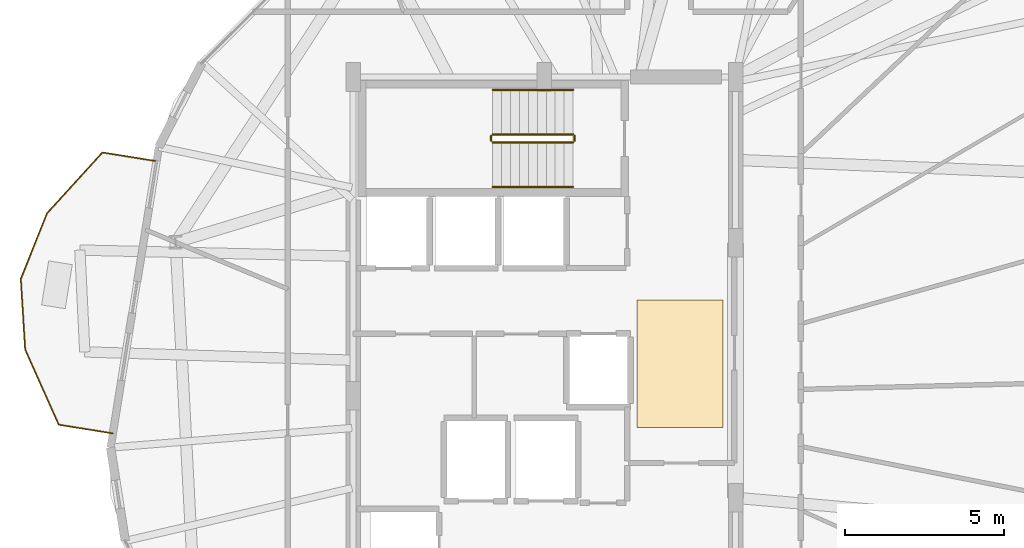
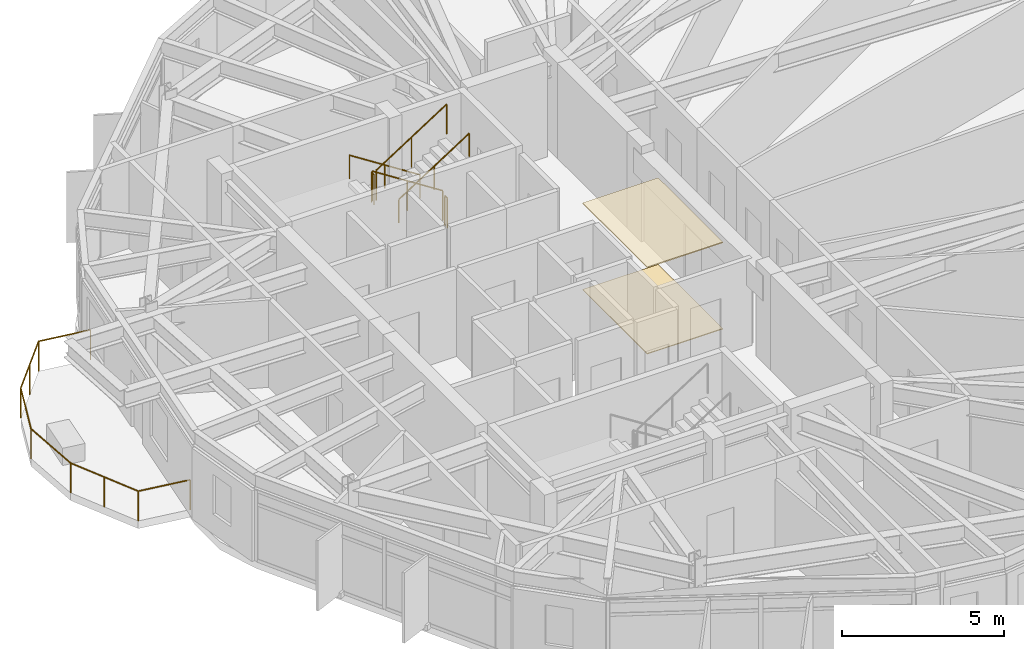
# One storey, part 26 of 27: 7 railings, 2 coverings.
"""IFC4 building model written with IfcOpenShell, lengths in metres."""

from ifc_helpers import new_model, si_unit, direction, frame, origin, origin_2d, place, context, subcontext, project, spatial, polyline, circle, outline, extrude, material, layer, layer_set, type_object, element, save


model = new_model("IFC4")

# Units and contexts
model_context = context("Model", 3, precision=1e-05, world=origin(), true_north=direction((0.0, 1.0)))
body_context = subcontext(model_context, "Body", "Model", "MODEL_VIEW")
ifc_project = project(units=[si_unit("LENGTHUNIT", "METRE"), si_unit("AREAUNIT", "SQUARE_METRE"), si_unit("VOLUMEUNIT", "CUBIC_METRE"), si_unit("PLANEANGLEUNIT", "RADIAN"), si_unit("MASSUNIT", "GRAM", prefix="KILO")], contexts=[model_context])

# Site, building, storey
site_placement = place(None, origin())
site = spatial("IfcSite", under=ifc_project, at=site_placement, CompositionType="ELEMENT")
building_placement = place(site_placement, origin())
building = spatial("IfcBuilding", under=site, at=building_placement, Name="Soratama Intermodal Tower", CompositionType="ELEMENT")
storey_placement = place(building_placement, frame((0.0, 0.0, 197.800048828125)))
storey = spatial("IfcBuildingStorey", under=building, at=storey_placement, Name="L49", CompositionType="ELEMENT", Elevation=197.800048828125)

# Coverings
ifc_material_1 = material(Name="Perforated mineral acoustic ceiling", Category="concrete")
ifc_layer_1 = layer(ifc_material_1, 0.0400390625)
ifc_layer_set_1 = layer_set([ifc_layer_1], Name="Perforated mineral acoustic ceiling")
covering_type_1 = type_object("IfcCoveringType", Name="CV-CEIL-ACOUSTIC", PredefinedType="CEILING", material=ifc_layer_set_1)
covering_1_placement = place(storey_placement, frame((0.0, 0.0, 3.260009765625)))
element("IfcCovering", 1, at=covering_1_placement, inside=storey, type_object=covering_type_1, Name="L49 Acoustic Ceiling", PredefinedType="CEILING", context=body_context, shape_type="SweptSolid", body=[
    extrude(outline(polyline([(41.5, 24.0), (44.199951171875, 24.0), (44.199951171875, 28.0), (41.5, 28.0), (41.5, 24.0)])), origin(), (0.0, 0.0, 1.0), 0.0400390625),
])
ifc_material_2 = material(Name="Polished Andean stone terrazzo flooring", Category="masonry")
ifc_layer_2 = layer(ifc_material_2, 0.030029296875)
ifc_layer_set_2 = layer_set([ifc_layer_2], Name="Polished Andean stone terrazzo flooring")
covering_type_2 = type_object("IfcCoveringType", Name="CV-FLOR-TERRAZZO", PredefinedType="FLOORING", material=ifc_layer_set_2)
covering_2_placement = place(storey_placement, origin())
element("IfcCovering", 2, at=covering_2_placement, inside=storey, type_object=covering_type_2, Name="L49 Lobby Terrazzo Flooring", PredefinedType="FLOORING", context=body_context, shape_type="SweptSolid", body=[
    extrude(outline(polyline([(41.5, 24.0), (44.199951171875, 24.0), (44.199951171875, 28.0), (41.5, 28.0), (41.5, 24.0)])), origin(), (0.0, 0.0, 1.0), 0.030029296875),
])

# Railings
ifc_material_3 = material(Name="Laminated glass and stainless steel balustrade", Category="steel")
railing_type_1 = type_object("IfcRailingType", Name="RL-BAL-1150", PredefinedType="BALUSTRADE", material=ifc_material_3)
railing_1_placement = place(storey_placement, frame((25.061279296875, 23.819091796875, 0.0)))
element("IfcRailing", 3, at=railing_1_placement, inside=storey, type_object=railing_type_1, Name="L49 Balcony Balustrade 3", PredefinedType="BALUSTRADE", context=body_context, shape_type="SweptSolid", body=[
    extrude(circle(Radius=0.02392578125, at=origin_2d()), frame((0.0, 0.0, 1.1259765625), z_axis=(-0.987351012286, 0.158549609075, 0.0), x_axis=(-0.158549609075, -0.987351012286, 0.0)), (0.0, 0.0, 1.0), 1.719970703125),
    extrude(circle(Radius=0.02392578125, at=origin_2d()), frame((-1.6982421875, 0.272705078125, 1.1259765625), z_axis=(-0.407916610686, 0.913019188586, 0.0), x_axis=(-0.913019188586, -0.407916610686, 0.0)), (0.0, 0.0, 1.0), 2.5849609375),
    extrude(circle(Radius=0.02392578125, at=origin_2d()), frame((-2.752685546875, 2.6328125, 1.1259765625), z_axis=(-0.061342936012, 0.998116748783, 0.0), x_axis=(-0.998116748783, -0.061342936012, 0.0)), (0.0, 0.0, 1.0), 2.216796875),
    extrude(circle(Radius=0.02392578125, at=origin_2d()), frame((-2.888671875, 4.845458984375, 1.1259765625), z_axis=(0.370611989063, 0.928787787152, 0.0), x_axis=(-0.928787787152, 0.370611989063, 0.0)), (0.0, 0.0, 1.0), 2.216796875),
    extrude(circle(Radius=0.02392578125, at=origin_2d()), frame((-2.067138671875, 6.904296875, 1.1259765625), z_axis=(0.67318031313, 0.739478374271, 0.0), x_axis=(-0.739478374271, 0.67318031313, 0.0)), (0.0, 0.0, 1.0), 2.585205078125),
    extrude(circle(Radius=0.02392578125, at=origin_2d()), frame((-0.326904296875, 8.81591796875, 1.1259765625), z_axis=(0.987351012286, -0.158549609075, 0.0), x_axis=(0.158549609075, 0.987351012286, 0.0)), (0.0, 0.0, 1.0), 1.719970703125),
    extrude(circle(Radius=0.02099609375, at=origin_2d()), origin(), (0.0, 0.0, 1.0), 1.101806640625),
    extrude(circle(Radius=0.02099609375, at=origin_2d()), frame((-1.6982421875, 0.272705078125, 0.0)), (0.0, 0.0, 1.0), 1.101806640625),
    extrude(circle(Radius=0.02099609375, at=origin_2d()), frame((-2.2255859375, 1.45263671875, 0.0)), (0.0, 0.0, 1.0), 1.101806640625),
    extrude(circle(Radius=0.02099609375, at=origin_2d()), frame((-2.752685546875, 2.6328125, 0.0)), (0.0, 0.0, 1.0), 1.101806640625),
    extrude(circle(Radius=0.02099609375, at=origin_2d()), frame((-2.888671875, 4.845458984375, 0.0)), (0.0, 0.0, 1.0), 1.101806640625),
    extrude(circle(Radius=0.02099609375, at=origin_2d()), frame((-2.067138671875, 6.904296875, 0.0)), (0.0, 0.0, 1.0), 1.101806640625),
    extrude(circle(Radius=0.02099609375, at=origin_2d()), frame((-1.197021484375, 7.860107421875, 0.0)), (0.0, 0.0, 1.0), 1.101806640625),
    extrude(circle(Radius=0.02099609375, at=origin_2d()), frame((-0.326904296875, 8.81591796875, 0.0)), (0.0, 0.0, 1.0), 1.101806640625),
    extrude(circle(Radius=0.02099609375, at=origin_2d()), frame((1.371337890625, 8.543212890625, 0.0)), (0.0, 0.0, 1.0), 1.101806640625),
])
ifc_material_4 = material(Name="Painted steel stair guardrail", Category="steel")
railing_type_2 = type_object("IfcRailingType", Name="RL-STAIR-GUARD", PredefinedType="GUARDRAIL", material=ifc_material_4)
railing_2_placement = place(storey_placement, frame((39.5, 33.199951171875, 0.179931640625)))
element("IfcRailing", 4, at=railing_2_placement, inside=storey, type_object=railing_type_2, Name="L49 ST-2 stair guard 1", PredefinedType="GUARDRAIL", context=body_context, shape_type="SweptSolid", body=[
    extrude(circle(Radius=0.02392578125, at=origin_2d()), frame((0.0, 0.0, 1.1259765625), z_axis=(-0.841162588446, 0.0, 0.540782303519), x_axis=(0.0, -1.0, 0.0)), (0.0, 0.0, 1.0), 2.995849609375),
    extrude(circle(Radius=0.02099609375, at=origin_2d()), origin(), (0.0, 0.0, 1.0), 1.101806640625),
    extrude(circle(Radius=0.02099609375, at=origin_2d()), frame((-1.260009765625, 0.0, 0.81005859375)), (0.0, 0.0, 1.0), 1.101806640625),
    extrude(circle(Radius=0.02099609375, at=origin_2d()), frame((-2.52001953125, 0.0, 1.6201171875)), (0.0, 0.0, 1.0), 1.101806640625),
])
railing_3_placement = place(storey_placement, frame((36.929931640625, 33.14990234375, 1.800048828125)))
element("IfcRailing", 5, at=railing_3_placement, inside=storey, type_object=railing_type_2, Name="L49 ST-2 stair guard 2", PredefinedType="GUARDRAIL", context=body_context, shape_type="SweptSolid", body=[
    extrude(circle(Radius=0.02392578125, at=origin_2d()), frame((0.0, 0.0, 1.1259765625), z_axis=(0.0, -1.0, 0.0), x_axis=(1.0, 0.0, 0.0)), (0.0, 0.0, 1.0), 0.14990234375),
    extrude(circle(Radius=0.02099609375, at=origin_2d()), origin(), (0.0, 0.0, 1.0), 1.101806640625),
    extrude(circle(Radius=0.02099609375, at=origin_2d()), frame((0.0, -0.14990234375, 0.0)), (0.0, 0.0, 1.0), 1.101806640625),
])
railing_4_placement = place(storey_placement, frame((36.97998046875, 32.949951171875, 1.97998046875)))
element("IfcRailing", 6, at=railing_4_placement, inside=storey, type_object=railing_type_2, Name="L49 ST-2 stair guard 3", PredefinedType="GUARDRAIL", context=body_context, shape_type="SweptSolid", body=[
    extrude(circle(Radius=0.02392578125, at=origin_2d()), frame((0.0, 0.0, 1.1259765625), z_axis=(0.841199657755, 0.0, 0.540724639528), x_axis=(0.0, 1.0, 0.0)), (0.0, 0.0, 1.0), 2.995849609375),
    extrude(circle(Radius=0.02099609375, at=origin_2d()), origin(), (0.0, 0.0, 1.0), 1.101806640625),
    extrude(circle(Radius=0.02099609375, at=origin_2d()), frame((1.260009765625, 0.0, 0.81005859375)), (0.0, 0.0, 1.0), 1.101806640625),
    extrude(circle(Radius=0.02099609375, at=origin_2d()), frame((2.52001953125, 0.0, 1.619873046875)), (0.0, 0.0, 1.0), 1.101806640625),
])
railing_5_placement = place(storey_placement, frame((39.550048828125, 33.14990234375, 0.0)))
element("IfcRailing", 7, at=railing_5_placement, inside=storey, type_object=railing_type_2, Name="L49 ST-2 stair guard 4", PredefinedType="GUARDRAIL", context=body_context, shape_type="SweptSolid", body=[
    extrude(circle(Radius=0.02392578125, at=origin_2d()), frame((0.0, 0.0, 1.1259765625), z_axis=(0.0, -1.0, 0.0), x_axis=(1.0, 0.0, 0.0)), (0.0, 0.0, 1.0), 0.14990234375),
    extrude(circle(Radius=0.02099609375, at=origin_2d()), origin(), (0.0, 0.0, 1.0), 1.101806640625),
    extrude(circle(Radius=0.02099609375, at=origin_2d()), frame((0.0, -0.14990234375, 0.0)), (0.0, 0.0, 1.0), 1.101806640625),
])
ifc_material_5 = material(Name="Brushed stainless steel handrail", Category="steel")
railing_type_3 = type_object("IfcRailingType", Name="RL-STAIR-HAND", PredefinedType="HANDRAIL", material=ifc_material_5)
railing_6_placement = place(storey_placement, frame((39.5, 34.60009765625, 0.179931640625)))
element("IfcRailing", 8, at=railing_6_placement, inside=storey, type_object=railing_type_3, Name="L49 ST-2 stair handrail 1", PredefinedType="HANDRAIL", context=body_context, shape_type="SweptSolid", body=[
    extrude(circle(Radius=0.02392578125, at=origin_2d()), frame((0.0, 0.0, 0.8759765625), z_axis=(-0.841162588446, 0.0, 0.540782303519), x_axis=(0.0, -1.0, 0.0)), (0.0, 0.0, 1.0), 2.995849609375),
    extrude(circle(Radius=0.02099609375, at=origin_2d()), origin(), (0.0, 0.0, 1.0), 0.851806640625),
    extrude(circle(Radius=0.02099609375, at=origin_2d()), frame((-1.260009765625, 0.0, 0.81005859375)), (0.0, 0.0, 1.0), 0.851806640625),
    extrude(circle(Radius=0.02099609375, at=origin_2d()), frame((-2.52001953125, 0.0, 1.6201171875)), (0.0, 0.0, 1.0), 0.851806640625),
])
railing_7_placement = place(storey_placement, frame((36.97998046875, 31.550048828125, 1.97998046875)))
element("IfcRailing", 9, at=railing_7_placement, inside=storey, type_object=railing_type_3, Name="L49 ST-2 stair handrail 2", PredefinedType="HANDRAIL", context=body_context, shape_type="SweptSolid", body=[
    extrude(circle(Radius=0.02392578125, at=origin_2d()), frame((0.0, 0.0, 0.8759765625), z_axis=(0.841199657755, 0.0, 0.540724639528), x_axis=(0.0, 1.0, 0.0)), (0.0, 0.0, 1.0), 2.995849609375),
    extrude(circle(Radius=0.02099609375, at=origin_2d()), origin(), (0.0, 0.0, 1.0), 0.851806640625),
    extrude(circle(Radius=0.02099609375, at=origin_2d()), frame((1.260009765625, 0.0, 0.81005859375)), (0.0, 0.0, 1.0), 0.851806640625),
    extrude(circle(Radius=0.02099609375, at=origin_2d()), frame((2.52001953125, 0.0, 1.619873046875)), (0.0, 0.0, 1.0), 0.851806640625),
])

save(model, "model.ifc")
